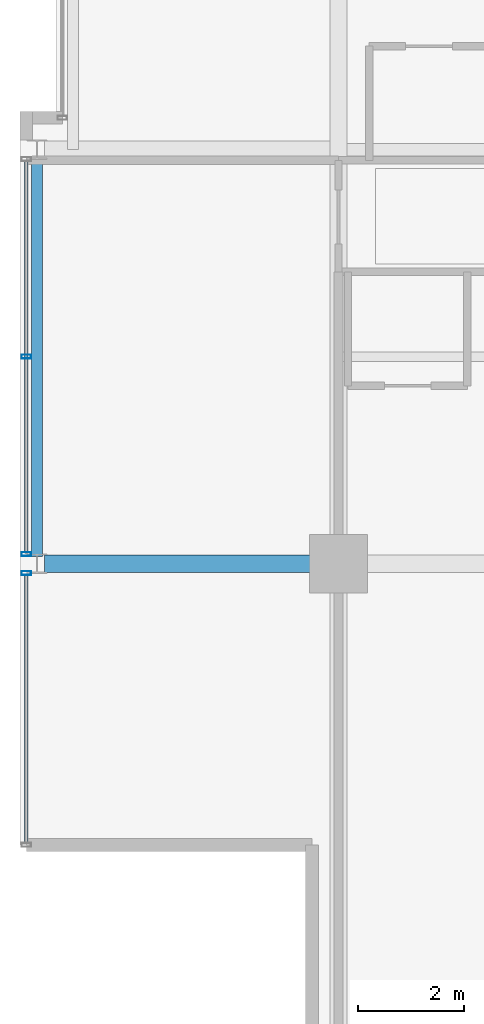
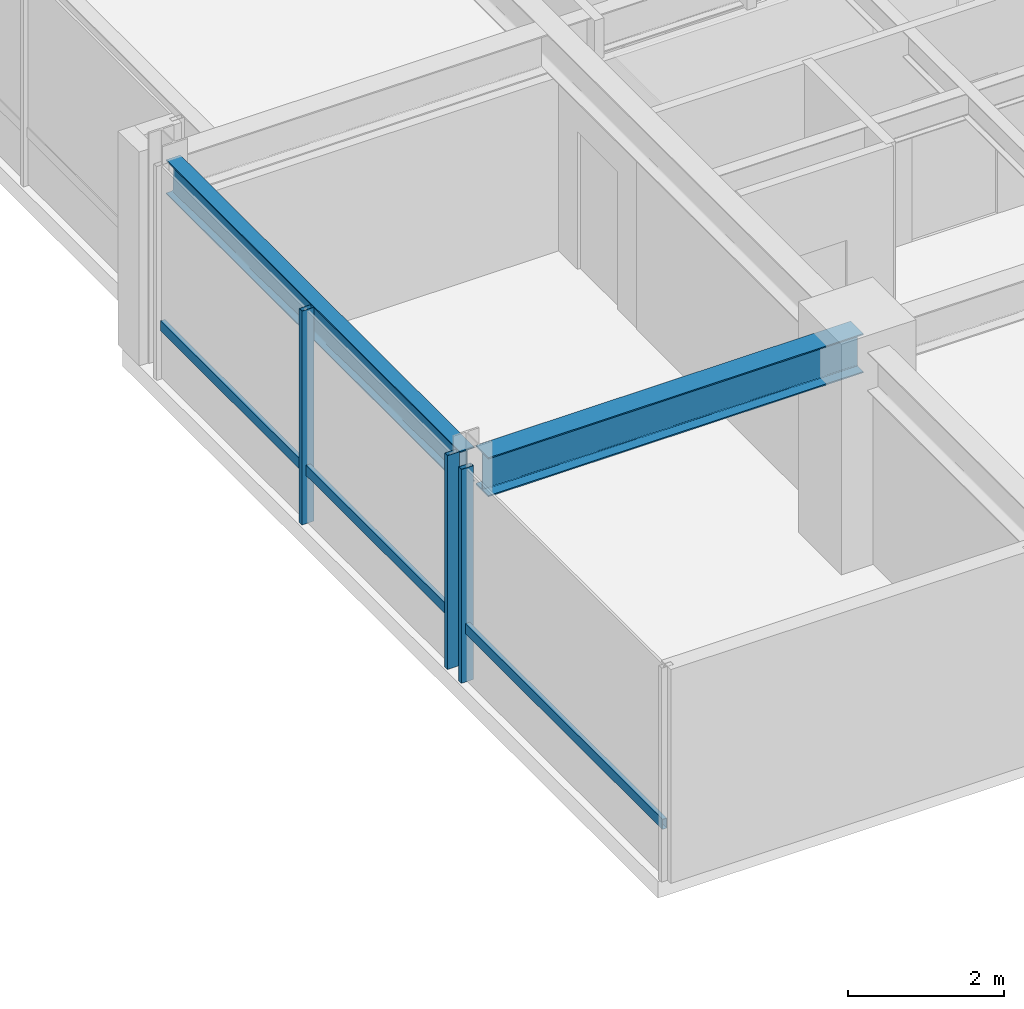
# One storey, part 5 of 32: 5 members, 2 beams, 2 elements without a shape of their own.
"""IFC4 building model written with IfcOpenShell, lengths in metres."""

import ifcopenshell
import ifcopenshell.guid

model = None  # the IFC model being written
_history = None  # IfcOwnerHistory: only IFC2X3 demands one
_inside = {}  # id of a spatial element -> (the spatial element, [elements in it])
_under = {}  # id of a project, library or spatial element -> (it, [spatial elements below it])
_declared = {}  # id of a project -> (the project, [libraries it declares])
_typed = {}  # id of a type object -> (the type object, [elements of that type])
_made_of = {}  # id of a material, layer set ... -> (it, [elements and type objects made of it])


def new_model(schema):
    """Start an empty IFC model of exactly this schema.

    Asked for "IFC4X3", IfcOpenShell would pick the latest addendum, in which some entities
    have other attributes; the version numbers below select the first issue.
    IFC2X3 requires an IfcOwnerHistory on every rooted entity: one is made here for all.
    """
    global model, _history
    if schema == "IFC4X3":
        model = ifcopenshell.file(schema_version=(4, 3, 0, 0))
    else:
        model = ifcopenshell.file(schema=schema)
    _inside.clear()
    _under.clear()
    _declared.clear()
    _typed.clear()
    _made_of.clear()
    _history = None
    if model.schema == "IFC2X3":
        org = make("IfcOrganization", Name="unknown")
        user = make(
            "IfcPersonAndOrganization",
            ThePerson=make("IfcPerson", FamilyName="unknown"),
            TheOrganization=org,
        )
        app = make(
            "IfcApplication",
            ApplicationDeveloper=org,
            Version="unknown",
            ApplicationFullName="unknown",
            ApplicationIdentifier="unknown",
        )
        _history = make(
            "IfcOwnerHistory",
            OwningUser=user,
            OwningApplication=app,
            ChangeAction="ADDED",
            CreationDate=0,
        )
    return model


def make(cls, **values):
    """One entity of the class cls with the attributes given. An attribute that is None is left unset."""
    return model.create_entity(
        cls, **{name: value for name, value in values.items() if value is not None}
    )


def rooted(cls, **values):
    """An entity with a GlobalId (a new one), such as an element, a storey or a relation."""
    return make(cls, GlobalId=ifcopenshell.guid.new(), OwnerHistory=_history, **values)


def si_unit(unit_type, name, prefix=None):
    """IfcSIUnit, for example si_unit("LENGTHUNIT", "METRE", prefix="MILLI")."""
    return make("IfcSIUnit", UnitType=unit_type, Prefix=prefix, Name=name)


def assignment(units):
    """IfcUnitAssignment: the units of a project."""
    return None if units is None else make("IfcUnitAssignment", Units=units)


def point(xyz):
    """IfcCartesianPoint."""
    return None if xyz is None else make("IfcCartesianPoint", Coordinates=xyz)


def direction(xyz):
    """IfcDirection."""
    return None if xyz is None else make("IfcDirection", DirectionRatios=xyz)


def frame(location, z_axis=None, x_axis=None):
    """IfcAxis2Placement3D, a coordinate frame: its origin and axes. An axis left out is left unset."""
    return make(
        "IfcAxis2Placement3D",
        Location=point(location),
        Axis=direction(z_axis),
        RefDirection=direction(x_axis),
    )


def frame_2d(location, x_axis=None):
    """IfcAxis2Placement2D, a coordinate frame in the plane: its origin and x axis."""
    return make(
        "IfcAxis2Placement2D", Location=point(location), RefDirection=direction(x_axis)
    )


def origin():
    """The frame at (0, 0, 0) with its axes left unset."""
    return frame((0.0, 0.0, 0.0))


def origin_2d():
    """The frame at (0, 0) in the plane with its x axis left unset."""
    return frame_2d((0.0, 0.0))


def place(relative_to, where):
    """IfcLocalPlacement: puts the frame where relative to a parent placement (None: the world)."""
    return make(
        "IfcLocalPlacement", PlacementRelTo=relative_to, RelativePlacement=where
    )


def context(
    kind, dimensions, precision=None, world=None, true_north=None, identifier=None
):
    """IfcGeometricRepresentationContext, for example the 3D "Model" context."""
    return make(
        "IfcGeometricRepresentationContext",
        ContextIdentifier=identifier,
        ContextType=kind,
        CoordinateSpaceDimension=dimensions,
        Precision=precision,
        WorldCoordinateSystem=world,
        TrueNorth=true_north,
    )


def subcontext(parent, identifier, kind, view, scale=None):
    """IfcGeometricRepresentationSubContext, for example "Body" below "Model"."""
    return make(
        "IfcGeometricRepresentationSubContext",
        ContextIdentifier=identifier,
        ContextType=kind,
        ParentContext=parent,
        TargetScale=scale,
        TargetView=view,
    )


def project(units=None, contexts=None):
    """IfcProject with its units and contexts."""
    return rooted(
        "IfcProject",
        Name="project",
        RepresentationContexts=contexts,
        UnitsInContext=assignment(units),
    )


def spatial(cls, under=None, at=None, **own):
    """A site, building, storey or space (cls), placed at a placement, below another one or the project."""
    s = rooted(cls, ObjectPlacement=at, **own)
    if under is not None:
        _under.setdefault(under.id(), (under, []))[1].append(s)
    return s


def profile(cls, at=None, kind="AREA", **sizes):
    """A parametric profile (cls). Its sizes go by their IFC names, for example OverallWidth=200.0."""
    return make(cls, ProfileType=kind, Position=at, **sizes)


def hollow_rectangle(**sizes):
    """IfcRectangleHollowProfileDef."""
    return profile("IfcRectangleHollowProfileDef", **sizes)


def i_section(**sizes):
    """IfcIShapeProfileDef."""
    return profile("IfcIShapeProfileDef", **sizes)


def extrude(swept, where, along, depth):
    """IfcExtrudedAreaSolid: the profile swept, set in the frame where, extruded along a direction by depth."""
    return make(
        "IfcExtrudedAreaSolid",
        SweptArea=swept,
        Position=where,
        ExtrudedDirection=direction(along),
        Depth=depth,
    )


def shape(context_of_items, identifier, shape_type, items):
    """IfcShapeRepresentation: the items that make up one representation, for example the "Body"."""
    return make(
        "IfcShapeRepresentation",
        ContextOfItems=context_of_items,
        RepresentationIdentifier=identifier,
        RepresentationType=shape_type,
        Items=items,
    )


def material(Name=None, Category=None):
    """IfcMaterial."""
    return make("IfcMaterial", Name=Name, Category=Category)


def layer(
    of_material, thickness, ventilated=None, Name=None, Category=None, Priority=None
):
    """IfcMaterialLayer: one layer of a wall or slab, of a material (None: an air gap)."""
    return make(
        "IfcMaterialLayer",
        Material=of_material,
        LayerThickness=thickness,
        IsVentilated=ventilated,
        Name=Name,
        Category=Category,
        Priority=Priority,
    )


def layer_set(layers, Name=None):
    """IfcMaterialLayerSet."""
    return make("IfcMaterialLayerSet", MaterialLayers=layers, LayerSetName=Name)


def material_profile(
    of_material, cross_section, Name=None, Category=None, Priority=None
):
    """IfcMaterialProfile: a cross section and its material."""
    return make(
        "IfcMaterialProfile",
        Name=Name,
        Material=of_material,
        Profile=cross_section,
        Priority=Priority,
        Category=Category,
    )


def profile_set(profiles, Name=None, composite=None):
    """IfcMaterialProfileSet."""
    return make(
        "IfcMaterialProfileSet",
        Name=Name,
        MaterialProfiles=profiles,
        CompositeProfile=composite,
    )


def made_of(thing, what):
    """Note that an element or type object is made of a material, layer set ...; save() writes the relation."""
    if what is not None:
        _made_of.setdefault(what.id(), (what, []))[1].append(thing)
    return thing


def type_object(cls, material=None, **own):
    """A type object (cls), such as IfcWallType, which elements share."""
    return made_of(rooted(cls, **own), material)


def element(
    cls,
    number,
    at=None,
    inside=None,
    cuts=None,
    type_object=None,
    material=None,
    context=None,
    identifier="Body",
    shape_type=None,
    held_by="IfcProductDefinitionShape",
    body=None,
    shapes=None,
    **own,
):
    """One element of the class cls, such as IfcWall. Its Tag is "e" and its number.

    at: its placement. inside: the storey or other place that contains it. cuts: it is an
    opening in that element (IfcRelVoidsElement). A single representation is given by context,
    identifier, shape_type and body (its items); several are given by shapes. held_by: the class
    of the entity that holds the representations. save() writes the other relations.
    """
    e = rooted(cls, Tag="e%d" % number, ObjectPlacement=at, **own)
    if body is not None:
        shapes = [shape(context, identifier, shape_type, body)]
    if shapes is not None:
        e.Representation = make(held_by, Representations=shapes)
    if inside is not None:
        _inside.setdefault(inside.id(), (inside, []))[1].append(e)
    if cuts is not None:
        rooted(
            "IfcRelVoidsElement", RelatingBuildingElement=cuts, RelatedOpeningElement=e
        )
    if type_object is not None:
        _typed.setdefault(type_object.id(), (type_object, []))[1].append(e)
    return made_of(e, material)


def aggregate(whole, parts):
    """IfcRelAggregates: a whole, such as a stair, and the parts it consists of."""
    return rooted("IfcRelAggregates", RelatingObject=whole, RelatedObjects=parts)


def save(model, path):
    """Write the relations noted so far, then the file.

    IfcRelAggregates (storeys below a building ...), IfcRelContainedInSpatialStructure (elements
    in a storey), IfcRelDefinesByType, IfcRelAssociatesMaterial and IfcRelDeclares: one each for
    every whole, place, type object, material and project.
    """
    for whole, parts in _under.values():
        aggregate(whole, parts)
    for where, things in _inside.values():
        rooted(
            "IfcRelContainedInSpatialStructure",
            RelatedElements=things,
            RelatingStructure=where,
        )
    for kind, things in _typed.values():
        rooted("IfcRelDefinesByType", RelatedObjects=things, RelatingType=kind)
    for what, things in _made_of.values():
        rooted("IfcRelAssociatesMaterial", RelatedObjects=things, RelatingMaterial=what)
    for by, libraries in _declared.values():
        rooted("IfcRelDeclares", RelatingContext=by, RelatedDefinitions=libraries)
    model.write(path)


model = new_model("IFC4")

# Units and contexts
model_context = context("Model", 3, precision=1e-05, world=origin(), true_north=direction((0.0, 1.0)))
body_context = subcontext(model_context, "Body", "Model", "MODEL_VIEW")
ifc_project = project(units=[si_unit("LENGTHUNIT", "METRE"), si_unit("AREAUNIT", "SQUARE_METRE"), si_unit("VOLUMEUNIT", "CUBIC_METRE"), si_unit("PLANEANGLEUNIT", "RADIAN"), si_unit("MASSUNIT", "GRAM", prefix="KILO")], contexts=[model_context])

# Site, building, storey
site_placement = place(None, origin())
site = spatial("IfcSite", under=ifc_project, at=site_placement, CompositionType="ELEMENT")
building_placement = place(site_placement, origin())
building = spatial("IfcBuilding", under=site, at=building_placement, Name="Drelvath Grand Hotel", CompositionType="ELEMENT")
storey_placement = place(building_placement, frame((0.0, 0.0, 241.10009765625)))
storey = spatial("IfcBuildingStorey", under=building, at=storey_placement, Name="L63", CompositionType="ELEMENT", Elevation=241.10009765625)

# Curtain wall, member
ifc_material_1 = material(Name="Platinum-Mist Anodised Aluminium Frame", Category="aluminium")
ifc_layer = layer(ifc_material_1, 0.199951171875)
ifc_layer_set = layer_set([ifc_layer], Name="Platinum-Mist Anodised Aluminium Frame")
curtain_wall_type = type_object("IfcCurtainWallType", Name="Stick Curtain Wall CW-05 Platinum Mist High-Rise", PredefinedType="NOTDEFINED", material=ifc_layer_set)
curtain_wall_1_placement = place(storey_placement, origin())
curtain_wall_1 = element("IfcCurtainWall", 1, at=curtain_wall_1_placement, inside=storey, type_object=curtain_wall_type, Name="L63 CW-05 Curtain Wall CW05-L63-WS1", PredefinedType="NOTDEFINED")
ifc_material_profile_1 = material_profile(ifc_material_1, hollow_rectangle(XDim=0.06494140625, YDim=0.159912109375, WallThickness=0.00390625, at=origin_2d()), Name="HSS160X65X4")
ifc_profile_set_1 = profile_set([ifc_material_profile_1], Name="Platinum-Mist Anodised Aluminium Frame")
member_type_1 = type_object("IfcMemberType", Name="Curtain Wall Horizontal Transom CW-05 HSS160X65X4", PredefinedType="USERDEFINED", material=ifc_profile_set_1)
member_1_placement = place(storey_placement, frame((-22.080078125, 5.5400390625, 0.8349609375), z_axis=(0.0, 1.0, 0.0), x_axis=(-1.0, 0.0, 0.0)))
member_1 = element("IfcMember", 2, at=member_1_placement, type_object=member_type_1, Name="CW05-L63-WS1 Sill Transom", ObjectType="TRANSOM", PredefinedType="USERDEFINED", context=body_context, shape_type="SweptSolid", body=[
    extrude(hollow_rectangle(XDim=0.06494140625, YDim=0.159912109375, WallThickness=0.00390625, at=origin_2d()), origin(), (0.0, 0.0, 1.0), 5.041748046875),
])

curtain_wall_2_placement = place(storey_placement, origin())
curtain_wall_2 = element("IfcCurtainWall", 3, at=curtain_wall_2_placement, inside=storey, type_object=curtain_wall_type, Name="L63 CW-05 Curtain Wall CW05-L63-WS2", PredefinedType="NOTDEFINED")
member_2_placement = place(storey_placement, frame((-22.080078125, 11.018310546875, 0.8349609375), z_axis=(0.0, 1.0, 0.0), x_axis=(-1.0, 0.0, 0.0)))
member_2 = element("IfcMember", 4, at=member_2_placement, type_object=member_type_1, Name="CW05-L63-WS2 Sill Transom", ObjectType="TRANSOM", PredefinedType="USERDEFINED", context=body_context, shape_type="SweptSolid", body=[
    extrude(hollow_rectangle(XDim=0.06494140625, YDim=0.159912109375, WallThickness=0.00390625, at=origin_2d()), origin(), (0.0, 0.0, 1.0), 7.363525390625),
])

# Member
ifc_material_profile_2 = material_profile(ifc_material_1, hollow_rectangle(XDim=0.074951171875, YDim=0.179931640625, WallThickness=0.0048828125, at=origin_2d()), Name="HSS180X75X5")
ifc_profile_set_2 = profile_set([ifc_material_profile_2], Name="Platinum-Mist Anodised Aluminium Frame")
member_type_2 = type_object("IfcMemberType", Name="Curtain Wall Vertical Mullion CW-05 HSS180X75X5", PredefinedType="MULLION", material=ifc_profile_set_2)
member_3_placement = place(storey_placement, frame((-22.080078125, 10.621826171875, 0.0), z_axis=(0.0, 0.0, 1.0), x_axis=(0.0, 1.0, 0.0)))
member_3 = element("IfcMember", 5, at=member_3_placement, type_object=member_type_2, Name="CW05-L63-WS1 Mullion 2", PredefinedType="MULLION", context=body_context, shape_type="SweptSolid", body=[
    extrude(hollow_rectangle(XDim=0.074951171875, YDim=0.179931640625, WallThickness=0.0048828125, at=origin_2d()), origin(), (0.0, 0.0, 1.0), 3.33984375),
])

aggregate(curtain_wall_1, [member_3, member_1])

member_4_placement = place(storey_placement, frame((-22.080078125, 10.978271484375, 0.0), z_axis=(0.0, 0.0, 1.0), x_axis=(0.0, 1.0, 0.0)))
member_4 = element("IfcMember", 6, at=member_4_placement, type_object=member_type_2, Name="CW05-L63-WS2 Mullion 1", PredefinedType="MULLION", context=body_context, shape_type="SweptSolid", body=[
    extrude(hollow_rectangle(XDim=0.074951171875, YDim=0.179931640625, WallThickness=0.0048828125, at=origin_2d()), origin(), (0.0, 0.0, 1.0), 3.33984375),
])

member_5_placement = place(storey_placement, frame((-22.080078125, 14.699951171875, 0.0), z_axis=(0.0, 0.0, 1.0), x_axis=(0.0, 1.0, 0.0)))
member_5 = element("IfcMember", 7, at=member_5_placement, type_object=member_type_2, Name="CW05-L63-WS2 Mullion 2", PredefinedType="MULLION", context=body_context, shape_type="SweptSolid", body=[
    extrude(hollow_rectangle(XDim=0.074951171875, YDim=0.179931640625, WallThickness=0.0048828125, at=origin_2d()), origin(), (0.0, 0.0, 1.0), 3.33984375),
])

aggregate(curtain_wall_2, [member_4, member_5, member_2])

# Beams
ifc_material_2 = material(Name="Steel ASTM A992 Gr 50", Category="steel")
ifc_material_profile_3 = material_profile(ifc_material_2, i_section(OverallWidth=0.210205078125, OverallDepth=0.53662109375, WebThickness=0.010986328125, FlangeThickness=0.017333984375, FilletRadius=0.01806640625, at=origin_2d()), Name="W21X68")
ifc_profile_set_3 = profile_set([ifc_material_profile_3], Name="Steel ASTM A992 Gr 50")
beam_type_1 = type_object("IfcBeamType", Name="Perimeter Spandrel Beam W21X68", PredefinedType="SPANDREL", material=ifc_profile_set_3)
beam_1_placement = place(storey_placement, frame((-21.8798828125, 10.93994140625, 3.071533203125), z_axis=(0.0, 1.0, 0.0), x_axis=(-1.0, 0.0, 0.0)))
element("IfcBeam", 8, at=beam_1_placement, inside=storey, type_object=beam_type_1, Name="L63 Spandrel West S", PredefinedType="SPANDREL", context=body_context, shape_type="SweptSolid", body=[
    extrude(i_section(OverallWidth=0.210205078125, OverallDepth=0.53662109375, WebThickness=0.010986328125, FlangeThickness=0.017333984375, FilletRadius=0.01806640625, at=origin_2d()), origin(), (0.0, 0.0, 1.0), 7.52001953125),
])
ifc_material_profile_4 = material_profile(ifc_material_2, i_section(OverallWidth=0.323974609375, OverallDepth=0.611083984375, WebThickness=0.0126953125, FlangeThickness=0.01904296875, FilletRadius=0.02197265625, at=origin_2d()), Name="W24X104")
ifc_profile_set_4 = profile_set([ifc_material_profile_4], Name="Steel ASTM A992 Gr 50")
beam_type_2 = type_object("IfcBeamType", Name="Primary Floor Girder W24X104", PredefinedType="BEAM", material=ifc_profile_set_4)
beam_2_placement = place(storey_placement, frame((-21.739990234375, 10.800048828125, 3.034423828125), z_axis=(1.0, 0.0, 0.0), x_axis=(0.0, 1.0, 0.0)))
element("IfcBeam", 9, at=beam_2_placement, inside=storey, type_object=beam_type_2, Name="L63 West Grid Girder C", PredefinedType="BEAM", context=body_context, shape_type="SweptSolid", body=[
    extrude(i_section(OverallWidth=0.323974609375, OverallDepth=0.611083984375, WebThickness=0.0126953125, FlangeThickness=0.01904296875, FilletRadius=0.02197265625, at=origin_2d()), origin(), (0.0, 0.0, 1.0), 5.5400390625),
])

save(model, "model.ifc")
